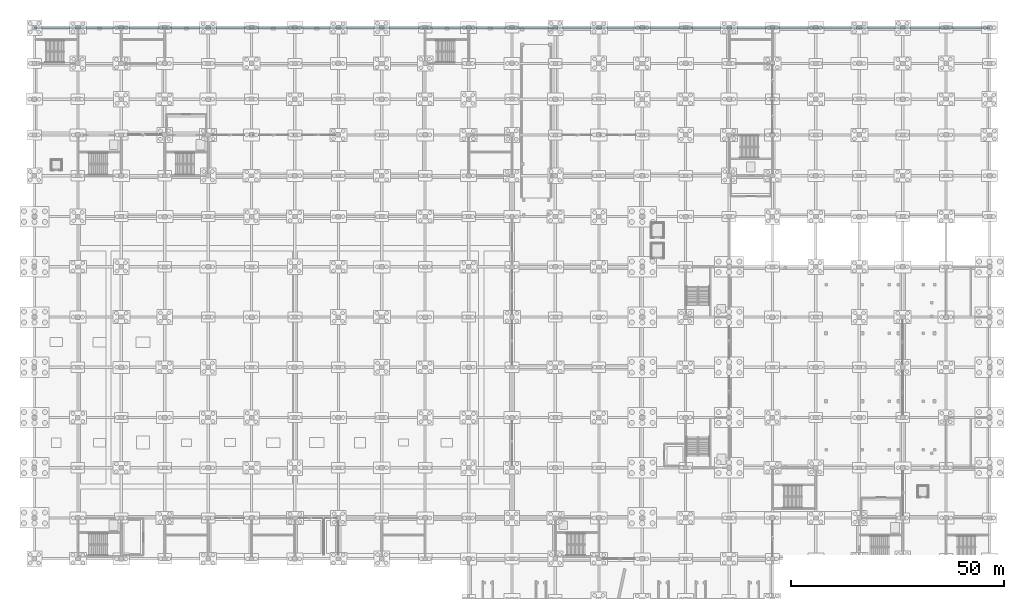
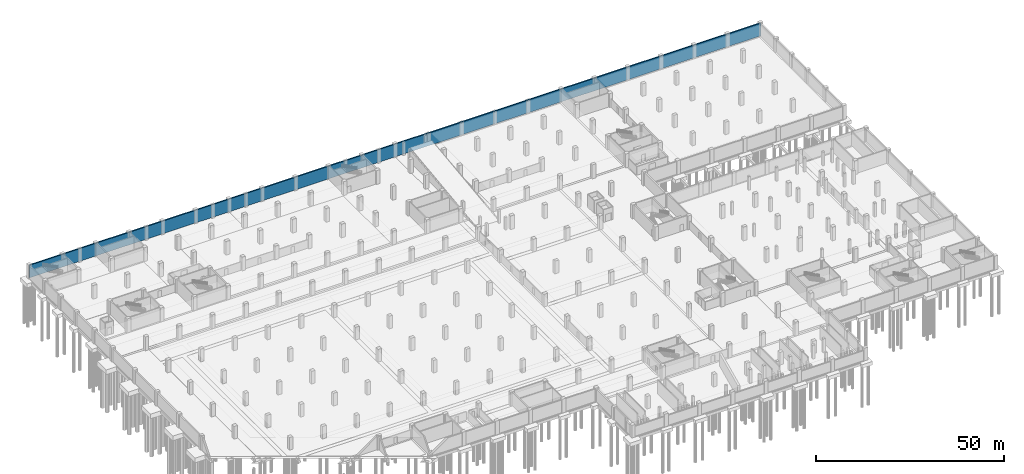
# One storey, part 43 of 52: 1 wall.
"""IFC4 building model written with IfcOpenShell, lengths in metres."""

from ifc_helpers import new_model, si_unit, direction, frame, frame_2d, origin, place, context, subcontext, project, spatial, rectangle, extrude, material, layer, layer_set, type_object, element, save


model = new_model("IFC4")

# Units and contexts
model_context = context("Model", 3, precision=1e-05, world=origin(), true_north=direction((0.0, 1.0)))
body_context = subcontext(model_context, "Body", "Model", "MODEL_VIEW")
ifc_project = project(units=[si_unit("LENGTHUNIT", "METRE"), si_unit("AREAUNIT", "SQUARE_METRE"), si_unit("VOLUMEUNIT", "CUBIC_METRE"), si_unit("PLANEANGLEUNIT", "RADIAN"), si_unit("MASSUNIT", "GRAM", prefix="KILO")], contexts=[model_context])

# Site, building, storey
site_placement = place(None, origin())
site = spatial("IfcSite", under=ifc_project, at=site_placement, CompositionType="ELEMENT")
building_placement = place(site_placement, origin())
building = spatial("IfcBuilding", under=site, at=building_placement, Name="Brelvane Convention Centre", CompositionType="ELEMENT")
storey_placement = place(building_placement, frame((0.0, 0.0, -4.5)))
storey = spatial("IfcBuildingStorey", under=building, at=storey_placement, Name="B1", CompositionType="ELEMENT", Elevation=-4.5)

# Wall
ifc_material = material(Name="Concrete M40", Category="concrete")
ifc_layer = layer(ifc_material, 0.39990234375)
ifc_layer_set = layer_set([ifc_layer], Name="Concrete M40")
wall_type = type_object("IfcWallType", Name="Structural Wall WL-RET-400", PredefinedType="SOLIDWALL", material=ifc_layer_set)
wall_placement = place(storey_placement, frame((0.0, 144.0, 0.0), z_axis=(0.0, 0.0, 1.0), x_axis=(1.0, 0.0, 0.0)))
element("IfcWall", 1, at=wall_placement, inside=storey, type_object=wall_type, Name="Basement Retaining Wall N-FULL", PredefinedType="SOLIDWALL", context=body_context, shape_type="SweptSolid", body=[
    extrude(rectangle(XDim=224.39990234375, YDim=0.39990234375, at=frame_2d((112.199951171875, 0.0))), origin(), (0.0, 0.0, 1.0), 4.10009765625),
])

save(model, "model.ifc")
